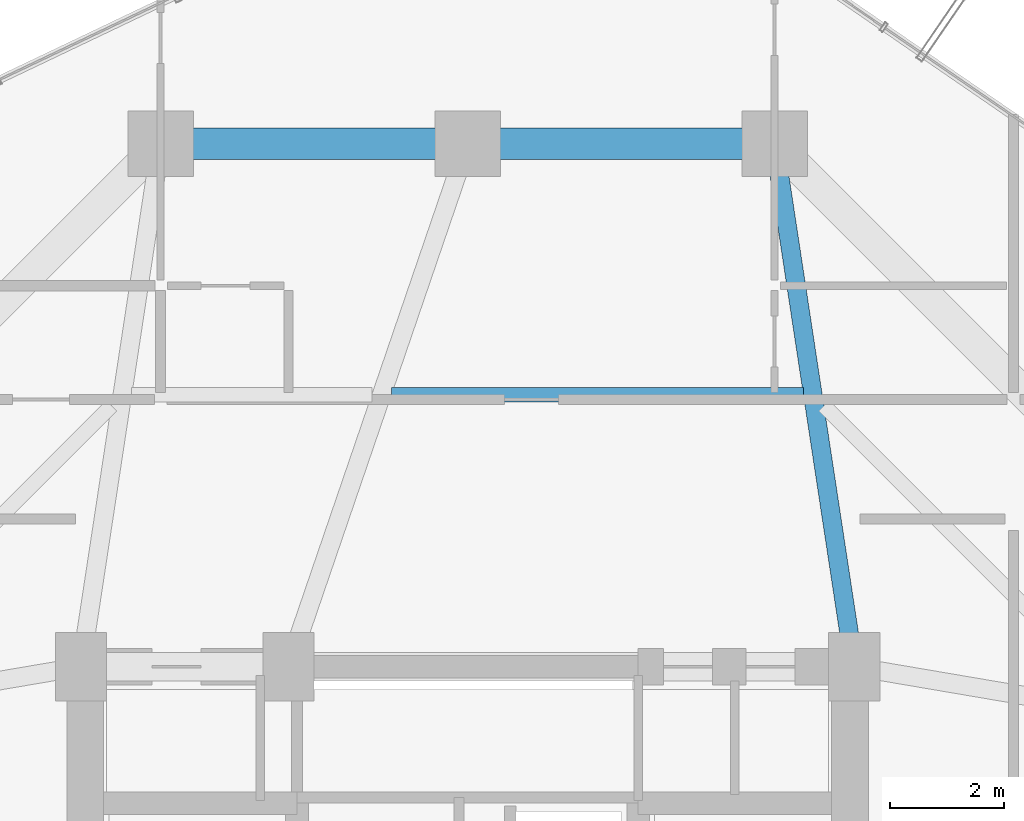
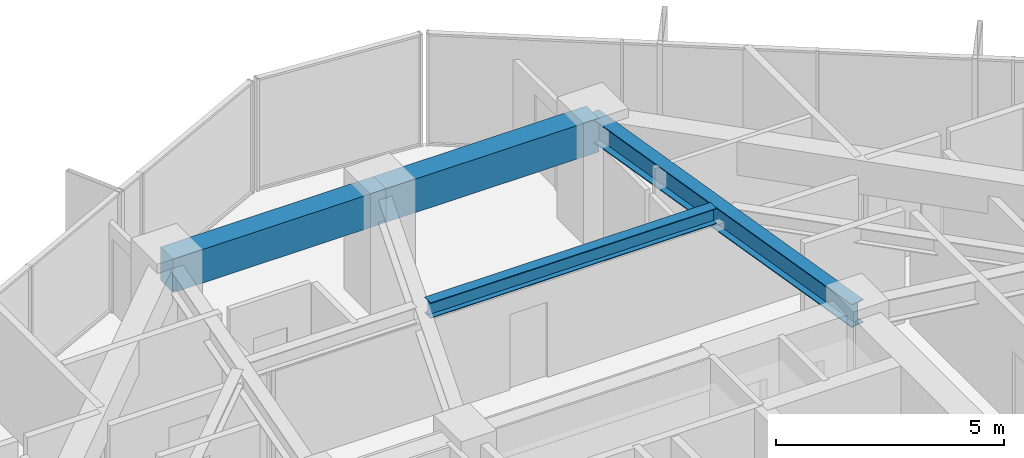
# One storey, part 20 of 30: 4 beams.
"""IFC4 building model written with IfcOpenShell, lengths in metres."""

from ifc_helpers import new_model, si_unit, direction, frame, origin, origin_2d, place, context, subcontext, project, spatial, rectangle, i_section, extrude, material, material_profile, profile_set, type_object, element, save


model = new_model("IFC4")

# Units and contexts
model_context = context("Model", 3, precision=1e-05, world=origin(), true_north=direction((0.0, 1.0)))
body_context = subcontext(model_context, "Body", "Model", "MODEL_VIEW")
ifc_project = project(units=[si_unit("LENGTHUNIT", "METRE"), si_unit("AREAUNIT", "SQUARE_METRE"), si_unit("VOLUMEUNIT", "CUBIC_METRE"), si_unit("PLANEANGLEUNIT", "RADIAN"), si_unit("MASSUNIT", "GRAM", prefix="KILO")], contexts=[model_context])

# Site, building, storey
site_placement = place(None, origin())
site = spatial("IfcSite", under=ifc_project, at=site_placement, CompositionType="ELEMENT")
building_placement = place(site_placement, origin())
building = spatial("IfcBuilding", under=site, at=building_placement, Name="Veraguas Prism Commons", CompositionType="ELEMENT")
storey_placement = place(building_placement, frame((0.0, 0.0, 113.25)))
storey = spatial("IfcBuildingStorey", under=building, at=storey_placement, Name="L31", CompositionType="ELEMENT", Elevation=113.25)

# Beams
ifc_material_1 = material(Name="Steel ASTM A992 Grade 50", Category="steel")
ifc_material_profile_1 = material_profile(ifc_material_1, i_section(OverallWidth=0.260986328125, OverallDepth=0.419921875, WebThickness=0.01171875, FlangeThickness=0.019287109375, at=origin_2d()), Name="W410X114")
ifc_profile_set_1 = profile_set([ifc_material_profile_1], Name="Steel ASTM A992 Grade 50")
beam_type_1 = type_object("IfcBeamType", Name="Lower Floor Joist W410x114", PredefinedType="JOIST", material=ifc_profile_set_1)
beam_1_placement = place(storey_placement, frame((29.908203125, 35.783935546875, 2.7900390625), z_axis=(-1.0, 0.0, 0.0), x_axis=(0.0, -1.0, 0.0)))
element("IfcBeam", 1, at=beam_1_placement, inside=storey, type_object=beam_type_1, Name="Composite Floor Joist L31-JS04", PredefinedType="JOIST", context=body_context, shape_type="SweptSolid", body=[
    extrude(i_section(OverallWidth=0.260986328125, OverallDepth=0.419921875, WebThickness=0.01171875, FlangeThickness=0.019287109375, at=origin_2d()), origin(), (0.0, 0.0, 1.0), 7.2490234375),
])
ifc_material_2 = material(Name="Concrete C50/60", Category="concrete")
ifc_material_profile_2 = material_profile(ifc_material_2, rectangle(XDim=0.550048828125, YDim=0.89990234375, at=origin_2d()), Name="RC550X900")
ifc_profile_set_2 = profile_set([ifc_material_profile_2], Name="Concrete C50/60")
beam_type_2 = type_object("IfcBeamType", Name="Perimeter Spandrel Lower RC 550x900", PredefinedType="SPANDREL", material=ifc_profile_set_2)
for number, where, z_axis, x_axis, name in (
    (2, (29.39990234375, 40.199951171875, 2.550048828125), (-1.0, 0.0, 0.0), (0.0, -1.0, 0.0), "Perimeter Spandrel Beam L31-SP04"),
    (3, (24.0, 40.199951171875, 2.550048828125), (-1.0, 0.0, 0.0), (0.0, -1.0, 0.0), "Perimeter Spandrel Beam L31-SP05"),
):
    element("IfcBeam", number, at=place(storey_placement, frame(where, z_axis=z_axis, x_axis=x_axis)), inside=storey, type_object=beam_type_2, Name=name, PredefinedType="SPANDREL", context=body_context, shape_type="SweptSolid", body=[
        extrude(rectangle(XDim=0.550048828125, YDim=0.89990234375, at=origin_2d()), origin(), (0.0, 0.0, 1.0), 5.39990234375),
    ])
ifc_material_profile_3 = material_profile(ifc_material_1, i_section(OverallWidth=0.327880859375, OverallDepth=0.6220703125, WebThickness=0.015380859375, FlangeThickness=0.0244140625, at=origin_2d()), Name="W610X195")
ifc_profile_set_3 = profile_set([ifc_material_profile_3], Name="Steel ASTM A992 Grade 50")
beam_type_3 = type_object("IfcBeamType", Name="Zone 2 Radial Girder W610x195", PredefinedType="BEAM", material=ifc_profile_set_3)
beam_2_placement = place(storey_placement, frame((29.39990234375, 40.199951171875, 2.68896484375), z_axis=(0.150458162136, -0.98861637729, 0.0), x_axis=(0.98861637729, 0.150458162136, 0.0)))
element("IfcBeam", 4, at=beam_2_placement, inside=storey, type_object=beam_type_3, Name="Radial Floor Girder L31-RD04", PredefinedType="BEAM", context=body_context, shape_type="SweptSolid", body=[
    extrude(i_section(OverallWidth=0.327880859375, OverallDepth=0.6220703125, WebThickness=0.015380859375, FlangeThickness=0.0244140625, at=origin_2d()), origin(), (0.0, 0.0, 1.0), 9.305908203125),
])

save(model, "model.ifc")
